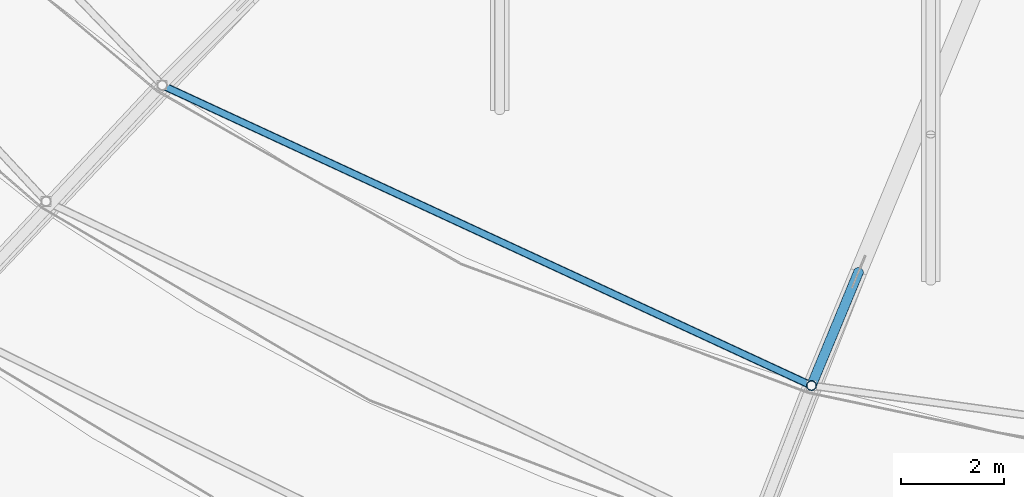
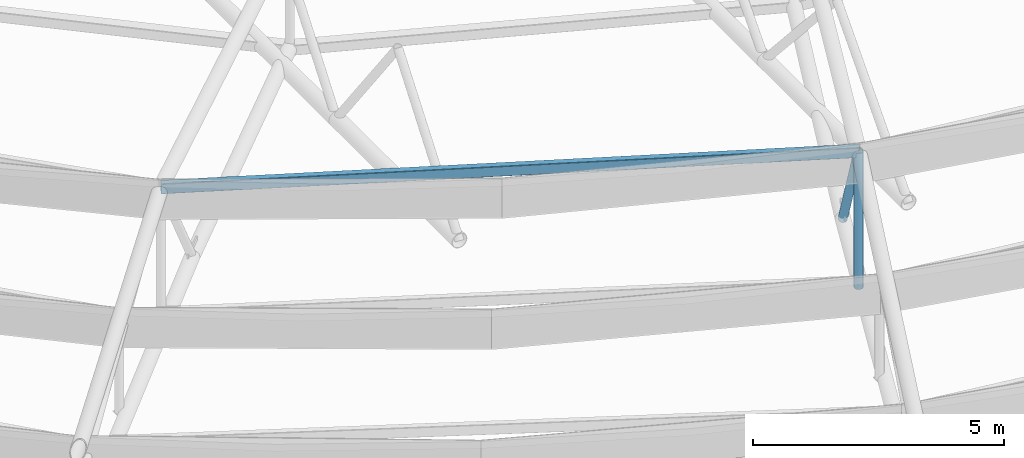
# One storey, part 12 of 134: 2 members, 1 beam.
"""IFC4 building model written with IfcOpenShell, lengths in metres."""

import ifcopenshell
import ifcopenshell.guid

model = None  # the IFC model being written
_history = None  # IfcOwnerHistory: only IFC2X3 demands one
_inside = {}  # id of a spatial element -> (the spatial element, [elements in it])
_under = {}  # id of a project, library or spatial element -> (it, [spatial elements below it])
_declared = {}  # id of a project -> (the project, [libraries it declares])
_typed = {}  # id of a type object -> (the type object, [elements of that type])
_made_of = {}  # id of a material, layer set ... -> (it, [elements and type objects made of it])


def new_model(schema):
    """Start an empty IFC model of exactly this schema.

    Asked for "IFC4X3", IfcOpenShell would pick the latest addendum, in which some entities
    have other attributes; the version numbers below select the first issue.
    IFC2X3 requires an IfcOwnerHistory on every rooted entity: one is made here for all.
    """
    global model, _history
    if schema == "IFC4X3":
        model = ifcopenshell.file(schema_version=(4, 3, 0, 0))
    else:
        model = ifcopenshell.file(schema=schema)
    _inside.clear()
    _under.clear()
    _declared.clear()
    _typed.clear()
    _made_of.clear()
    _history = None
    if model.schema == "IFC2X3":
        org = make("IfcOrganization", Name="unknown")
        user = make(
            "IfcPersonAndOrganization",
            ThePerson=make("IfcPerson", FamilyName="unknown"),
            TheOrganization=org,
        )
        app = make(
            "IfcApplication",
            ApplicationDeveloper=org,
            Version="unknown",
            ApplicationFullName="unknown",
            ApplicationIdentifier="unknown",
        )
        _history = make(
            "IfcOwnerHistory",
            OwningUser=user,
            OwningApplication=app,
            ChangeAction="ADDED",
            CreationDate=0,
        )
    return model


def make(cls, **values):
    """One entity of the class cls with the attributes given. An attribute that is None is left unset."""
    return model.create_entity(
        cls, **{name: value for name, value in values.items() if value is not None}
    )


def rooted(cls, **values):
    """An entity with a GlobalId (a new one), such as an element, a storey or a relation."""
    return make(cls, GlobalId=ifcopenshell.guid.new(), OwnerHistory=_history, **values)


def si_unit(unit_type, name, prefix=None):
    """IfcSIUnit, for example si_unit("LENGTHUNIT", "METRE", prefix="MILLI")."""
    return make("IfcSIUnit", UnitType=unit_type, Prefix=prefix, Name=name)


def derived_unit(unit_type, elements):
    """IfcDerivedUnit: a product of units, each with its exponent."""
    return make(
        "IfcDerivedUnit",
        Elements=[
            make("IfcDerivedUnitElement", Unit=unit, Exponent=power)
            for unit, power in elements
        ],
        UnitType=unit_type,
    )


def assignment(units):
    """IfcUnitAssignment: the units of a project."""
    return None if units is None else make("IfcUnitAssignment", Units=units)


def point(xyz):
    """IfcCartesianPoint."""
    return None if xyz is None else make("IfcCartesianPoint", Coordinates=xyz)


def direction(xyz):
    """IfcDirection."""
    return None if xyz is None else make("IfcDirection", DirectionRatios=xyz)


def frame(location, z_axis=None, x_axis=None):
    """IfcAxis2Placement3D, a coordinate frame: its origin and axes. An axis left out is left unset."""
    return make(
        "IfcAxis2Placement3D",
        Location=point(location),
        Axis=direction(z_axis),
        RefDirection=direction(x_axis),
    )


def frame_2d(location, x_axis=None):
    """IfcAxis2Placement2D, a coordinate frame in the plane: its origin and x axis."""
    return make(
        "IfcAxis2Placement2D", Location=point(location), RefDirection=direction(x_axis)
    )


def origin():
    """The frame at (0, 0, 0) with its axes left unset."""
    return frame((0.0, 0.0, 0.0))


def origin_2d():
    """The frame at (0, 0) in the plane with its x axis left unset."""
    return frame_2d((0.0, 0.0))


def place(relative_to, where):
    """IfcLocalPlacement: puts the frame where relative to a parent placement (None: the world)."""
    return make(
        "IfcLocalPlacement", PlacementRelTo=relative_to, RelativePlacement=where
    )


def context(
    kind, dimensions, precision=None, world=None, true_north=None, identifier=None
):
    """IfcGeometricRepresentationContext, for example the 3D "Model" context."""
    return make(
        "IfcGeometricRepresentationContext",
        ContextIdentifier=identifier,
        ContextType=kind,
        CoordinateSpaceDimension=dimensions,
        Precision=precision,
        WorldCoordinateSystem=world,
        TrueNorth=true_north,
    )


def subcontext(parent, identifier, kind, view, scale=None):
    """IfcGeometricRepresentationSubContext, for example "Body" below "Model"."""
    return make(
        "IfcGeometricRepresentationSubContext",
        ContextIdentifier=identifier,
        ContextType=kind,
        ParentContext=parent,
        TargetScale=scale,
        TargetView=view,
    )


def project(units=None, contexts=None):
    """IfcProject with its units and contexts."""
    return rooted(
        "IfcProject",
        Name="project",
        RepresentationContexts=contexts,
        UnitsInContext=assignment(units),
    )


def spatial(cls, under=None, at=None, **own):
    """A site, building, storey or space (cls), placed at a placement, below another one or the project."""
    s = rooted(cls, ObjectPlacement=at, **own)
    if under is not None:
        _under.setdefault(under.id(), (under, []))[1].append(s)
    return s


def profile(cls, at=None, kind="AREA", **sizes):
    """A parametric profile (cls). Its sizes go by their IFC names, for example OverallWidth=200.0."""
    return make(cls, ProfileType=kind, Position=at, **sizes)


def hollow_rectangle(**sizes):
    """IfcRectangleHollowProfileDef."""
    return profile("IfcRectangleHollowProfileDef", **sizes)


def hollow_circle(**sizes):
    """IfcCircleHollowProfileDef."""
    return profile("IfcCircleHollowProfileDef", **sizes)


def extrude(swept, where, along, depth):
    """IfcExtrudedAreaSolid: the profile swept, set in the frame where, extruded along a direction by depth."""
    return make(
        "IfcExtrudedAreaSolid",
        SweptArea=swept,
        Position=where,
        ExtrudedDirection=direction(along),
        Depth=depth,
    )


def shape(context_of_items, identifier, shape_type, items):
    """IfcShapeRepresentation: the items that make up one representation, for example the "Body"."""
    return make(
        "IfcShapeRepresentation",
        ContextOfItems=context_of_items,
        RepresentationIdentifier=identifier,
        RepresentationType=shape_type,
        Items=items,
    )


def material(Name=None, Category=None):
    """IfcMaterial."""
    return make("IfcMaterial", Name=Name, Category=Category)


def material_profile(
    of_material, cross_section, Name=None, Category=None, Priority=None
):
    """IfcMaterialProfile: a cross section and its material."""
    return make(
        "IfcMaterialProfile",
        Name=Name,
        Material=of_material,
        Profile=cross_section,
        Priority=Priority,
        Category=Category,
    )


def profile_set(profiles, Name=None, composite=None):
    """IfcMaterialProfileSet."""
    return make(
        "IfcMaterialProfileSet",
        Name=Name,
        MaterialProfiles=profiles,
        CompositeProfile=composite,
    )


def made_of(thing, what):
    """Note that an element or type object is made of a material, layer set ...; save() writes the relation."""
    if what is not None:
        _made_of.setdefault(what.id(), (what, []))[1].append(thing)
    return thing


def type_object(cls, material=None, **own):
    """A type object (cls), such as IfcWallType, which elements share."""
    return made_of(rooted(cls, **own), material)


def element(
    cls,
    number,
    at=None,
    inside=None,
    cuts=None,
    type_object=None,
    material=None,
    context=None,
    identifier="Body",
    shape_type=None,
    held_by="IfcProductDefinitionShape",
    body=None,
    shapes=None,
    **own,
):
    """One element of the class cls, such as IfcWall. Its Tag is "e" and its number.

    at: its placement. inside: the storey or other place that contains it. cuts: it is an
    opening in that element (IfcRelVoidsElement). A single representation is given by context,
    identifier, shape_type and body (its items); several are given by shapes. held_by: the class
    of the entity that holds the representations. save() writes the other relations.
    """
    e = rooted(cls, Tag="e%d" % number, ObjectPlacement=at, **own)
    if body is not None:
        shapes = [shape(context, identifier, shape_type, body)]
    if shapes is not None:
        e.Representation = make(held_by, Representations=shapes)
    if inside is not None:
        _inside.setdefault(inside.id(), (inside, []))[1].append(e)
    if cuts is not None:
        rooted(
            "IfcRelVoidsElement", RelatingBuildingElement=cuts, RelatedOpeningElement=e
        )
    if type_object is not None:
        _typed.setdefault(type_object.id(), (type_object, []))[1].append(e)
    return made_of(e, material)


def aggregate(whole, parts):
    """IfcRelAggregates: a whole, such as a stair, and the parts it consists of."""
    return rooted("IfcRelAggregates", RelatingObject=whole, RelatedObjects=parts)


def save(model, path):
    """Write the relations noted so far, then the file.

    IfcRelAggregates (storeys below a building ...), IfcRelContainedInSpatialStructure (elements
    in a storey), IfcRelDefinesByType, IfcRelAssociatesMaterial and IfcRelDeclares: one each for
    every whole, place, type object, material and project.
    """
    for whole, parts in _under.values():
        aggregate(whole, parts)
    for where, things in _inside.values():
        rooted(
            "IfcRelContainedInSpatialStructure",
            RelatedElements=things,
            RelatingStructure=where,
        )
    for kind, things in _typed.values():
        rooted("IfcRelDefinesByType", RelatedObjects=things, RelatingType=kind)
    for what, things in _made_of.values():
        rooted("IfcRelAssociatesMaterial", RelatedObjects=things, RelatingMaterial=what)
    for by, libraries in _declared.values():
        rooted("IfcRelDeclares", RelatingContext=by, RelatedDefinitions=libraries)
    model.write(path)


model = new_model("IFC4")

# Units and contexts
model_context = context("Model", 3, precision=1e-05, world=origin(), true_north=direction((0.0, 1.0)))
body_context = subcontext(model_context, "Body", "Model", "MODEL_VIEW")
ifc_project = project(units=[si_unit("LENGTHUNIT", "METRE"), si_unit("AREAUNIT", "SQUARE_METRE"), si_unit("VOLUMEUNIT", "CUBIC_METRE"), si_unit("PLANEANGLEUNIT", "RADIAN"), si_unit("MASSUNIT", "GRAM", prefix="KILO"), derived_unit("THERMALTRANSMITTANCEUNIT", [(si_unit("MASSUNIT", "GRAM", prefix="KILO"), 1), (si_unit("TIMEUNIT", "SECOND"), -3), (si_unit("THERMODYNAMICTEMPERATUREUNIT", "KELVIN"), -1)])], contexts=[model_context])

# Site, building, storey
site_placement = place(None, origin())
site = spatial("IfcSite", under=ifc_project, at=site_placement, CompositionType="ELEMENT")
building_placement = place(site_placement, origin())
building = spatial("IfcBuilding", under=site, at=building_placement, Name="Kharveza Railside Sports Centre", CompositionType="ELEMENT")
storey_placement = place(building_placement, frame((0.0, 0.0, 12.89990234375)))
storey = spatial("IfcBuildingStorey", under=building, at=storey_placement, Name="L03", CompositionType="ELEMENT", Elevation=12.89990234375)

# Beam
ifc_material = material(Name="Steel S355J2", Category="steel")
ifc_material_profile_1 = material_profile(ifc_material, hollow_rectangle(XDim=0.14990234375, YDim=0.25, WallThickness=0.010009765625, InnerFilletRadius=0.010009765625, OuterFilletRadius=0.02001953125, at=origin_2d()), Name="RHS 150x250x10.0")
ifc_profile_set_1 = profile_set([ifc_material_profile_1], Name="Steel S355J2")
beam_type = type_object("IfcBeamType", Name="BM-SP04", PredefinedType="SPANDREL", material=ifc_profile_set_1)
beam_placement = place(storey_placement, frame((27.02294921875, 31.30810546875, 3.255126953125), z_axis=(0.907597679529, -0.419840984319, 0.0), x_axis=(0.419840984319, 0.907597679529, 0.0)))
element("IfcBeam", 1, at=beam_placement, inside=storey, type_object=beam_type, Name="BM-LIDRING-S4-11", PredefinedType="SPANDREL", context=body_context, shape_type="SweptSolid", body=[
    extrude(hollow_rectangle(XDim=0.14990234375, YDim=0.25, WallThickness=0.010009765625, InnerFilletRadius=0.010009765625, OuterFilletRadius=0.02001953125, at=origin_2d()), origin(), (0.0, 0.0, 1.0), 13.9404296875),
])

# Members
ifc_material_profile_2 = material_profile(ifc_material, hollow_circle(Radius=0.096923828125, WallThickness=0.010009765625, at=origin_2d()), Name="CHS 193.7x10.0")
ifc_profile_set_2 = profile_set([ifc_material_profile_2], Name="Steel S355J2")
member_type = type_object("IfcMemberType", Name="MB-ST02", PredefinedType="STRUT", material=ifc_profile_set_2)
member_1_placement = place(storey_placement, frame((39.67529296875, 25.455322265625, -0.0498046875), z_axis=(0.0, 0.0, 1.0), x_axis=(1.0, 0.0, 0.0)))
element("IfcMember", 2, at=member_1_placement, inside=storey, type_object=member_type, Name="MB-LIDPOST-S4-12", PredefinedType="STRUT", context=body_context, shape_type="SweptSolid", body=[
    extrude(hollow_circle(Radius=0.096923828125, WallThickness=0.010009765625, at=origin_2d()), origin(), (0.0, 0.0, 1.0), 3.304931640625),
])
member_2_placement = place(storey_placement, frame((40.59375, 27.672607421875, -0.0498046875), z_axis=(-0.225096955805, -0.543415883206, 0.80872154563), x_axis=(0.923875488976, -0.382693194178, 0.0)))
element("IfcMember", 3, at=member_2_placement, inside=storey, type_object=member_type, Name="MB-OUT-WEB-12-2", PredefinedType="STRUT", context=body_context, shape_type="SweptSolid", body=[
    extrude(hollow_circle(Radius=0.096923828125, WallThickness=0.010009765625, at=origin_2d()), origin(), (0.0, 0.0, 1.0), 4.080322265625),
])

save(model, "model.ifc")
